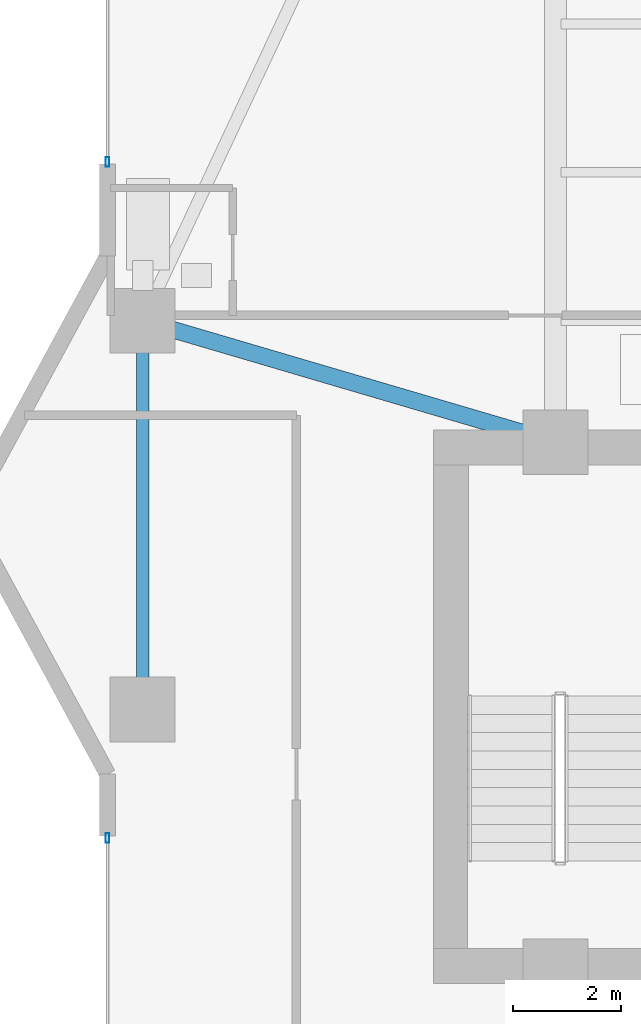
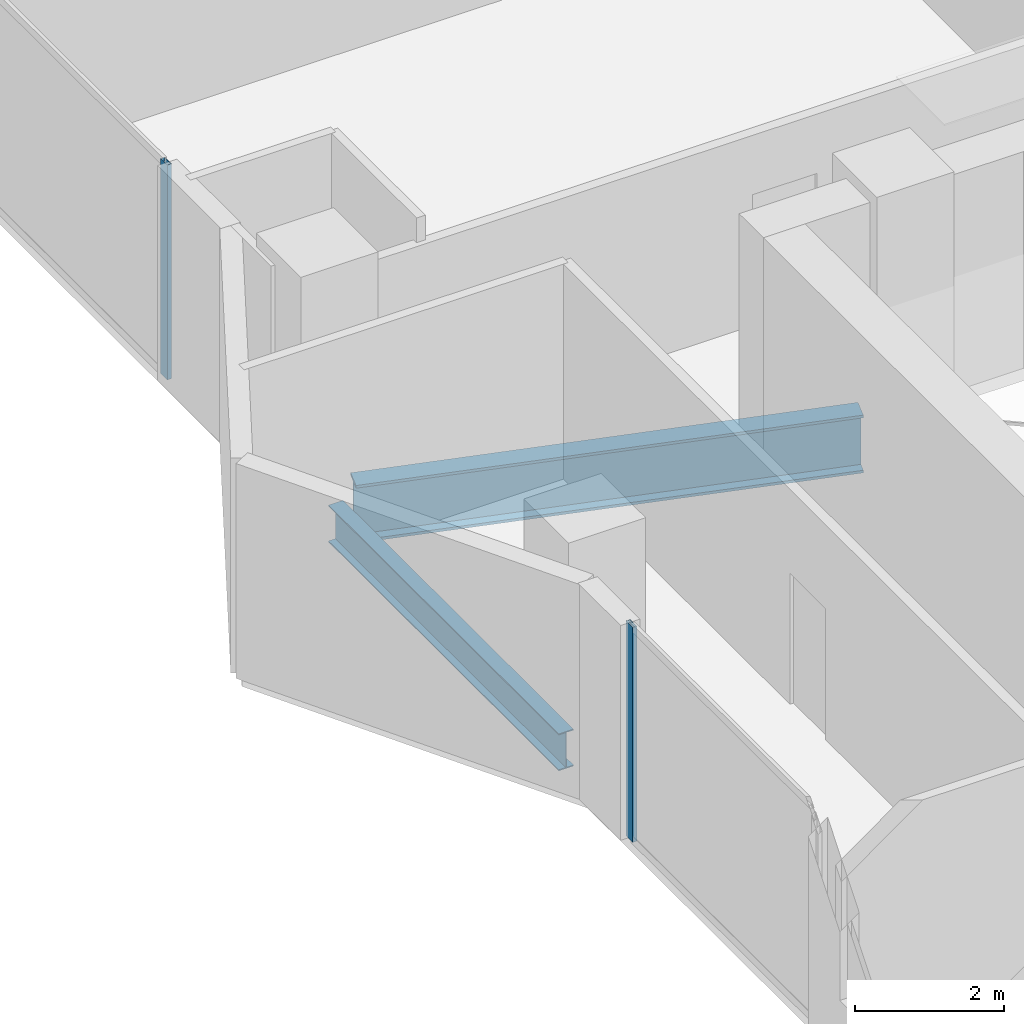
# One storey, part 8 of 33: 2 beams, 2 members, 2 elements without a shape of their own.
"""IFC4 building model written with IfcOpenShell, lengths in metres."""

import ifcopenshell
import ifcopenshell.guid

model = None  # the IFC model being written
_history = None  # IfcOwnerHistory: only IFC2X3 demands one
_inside = {}  # id of a spatial element -> (the spatial element, [elements in it])
_under = {}  # id of a project, library or spatial element -> (it, [spatial elements below it])
_declared = {}  # id of a project -> (the project, [libraries it declares])
_typed = {}  # id of a type object -> (the type object, [elements of that type])
_made_of = {}  # id of a material, layer set ... -> (it, [elements and type objects made of it])


def new_model(schema):
    """Start an empty IFC model of exactly this schema.

    Asked for "IFC4X3", IfcOpenShell would pick the latest addendum, in which some entities
    have other attributes; the version numbers below select the first issue.
    IFC2X3 requires an IfcOwnerHistory on every rooted entity: one is made here for all.
    """
    global model, _history
    if schema == "IFC4X3":
        model = ifcopenshell.file(schema_version=(4, 3, 0, 0))
    else:
        model = ifcopenshell.file(schema=schema)
    _inside.clear()
    _under.clear()
    _declared.clear()
    _typed.clear()
    _made_of.clear()
    _history = None
    if model.schema == "IFC2X3":
        org = make("IfcOrganization", Name="unknown")
        user = make(
            "IfcPersonAndOrganization",
            ThePerson=make("IfcPerson", FamilyName="unknown"),
            TheOrganization=org,
        )
        app = make(
            "IfcApplication",
            ApplicationDeveloper=org,
            Version="unknown",
            ApplicationFullName="unknown",
            ApplicationIdentifier="unknown",
        )
        _history = make(
            "IfcOwnerHistory",
            OwningUser=user,
            OwningApplication=app,
            ChangeAction="ADDED",
            CreationDate=0,
        )
    return model


def make(cls, **values):
    """One entity of the class cls with the attributes given. An attribute that is None is left unset."""
    return model.create_entity(
        cls, **{name: value for name, value in values.items() if value is not None}
    )


def rooted(cls, **values):
    """An entity with a GlobalId (a new one), such as an element, a storey or a relation."""
    return make(cls, GlobalId=ifcopenshell.guid.new(), OwnerHistory=_history, **values)


def si_unit(unit_type, name, prefix=None):
    """IfcSIUnit, for example si_unit("LENGTHUNIT", "METRE", prefix="MILLI")."""
    return make("IfcSIUnit", UnitType=unit_type, Prefix=prefix, Name=name)


def assignment(units):
    """IfcUnitAssignment: the units of a project."""
    return None if units is None else make("IfcUnitAssignment", Units=units)


def point(xyz):
    """IfcCartesianPoint."""
    return None if xyz is None else make("IfcCartesianPoint", Coordinates=xyz)


def direction(xyz):
    """IfcDirection."""
    return None if xyz is None else make("IfcDirection", DirectionRatios=xyz)


def frame(location, z_axis=None, x_axis=None):
    """IfcAxis2Placement3D, a coordinate frame: its origin and axes. An axis left out is left unset."""
    return make(
        "IfcAxis2Placement3D",
        Location=point(location),
        Axis=direction(z_axis),
        RefDirection=direction(x_axis),
    )


def frame_2d(location, x_axis=None):
    """IfcAxis2Placement2D, a coordinate frame in the plane: its origin and x axis."""
    return make(
        "IfcAxis2Placement2D", Location=point(location), RefDirection=direction(x_axis)
    )


def origin():
    """The frame at (0, 0, 0) with its axes left unset."""
    return frame((0.0, 0.0, 0.0))


def origin_2d():
    """The frame at (0, 0) in the plane with its x axis left unset."""
    return frame_2d((0.0, 0.0))


def place(relative_to, where):
    """IfcLocalPlacement: puts the frame where relative to a parent placement (None: the world)."""
    return make(
        "IfcLocalPlacement", PlacementRelTo=relative_to, RelativePlacement=where
    )


def context(
    kind, dimensions, precision=None, world=None, true_north=None, identifier=None
):
    """IfcGeometricRepresentationContext, for example the 3D "Model" context."""
    return make(
        "IfcGeometricRepresentationContext",
        ContextIdentifier=identifier,
        ContextType=kind,
        CoordinateSpaceDimension=dimensions,
        Precision=precision,
        WorldCoordinateSystem=world,
        TrueNorth=true_north,
    )


def subcontext(parent, identifier, kind, view, scale=None):
    """IfcGeometricRepresentationSubContext, for example "Body" below "Model"."""
    return make(
        "IfcGeometricRepresentationSubContext",
        ContextIdentifier=identifier,
        ContextType=kind,
        ParentContext=parent,
        TargetScale=scale,
        TargetView=view,
    )


def project(units=None, contexts=None):
    """IfcProject with its units and contexts."""
    return rooted(
        "IfcProject",
        Name="project",
        RepresentationContexts=contexts,
        UnitsInContext=assignment(units),
    )


def spatial(cls, under=None, at=None, **own):
    """A site, building, storey or space (cls), placed at a placement, below another one or the project."""
    s = rooted(cls, ObjectPlacement=at, **own)
    if under is not None:
        _under.setdefault(under.id(), (under, []))[1].append(s)
    return s


def profile(cls, at=None, kind="AREA", **sizes):
    """A parametric profile (cls). Its sizes go by their IFC names, for example OverallWidth=200.0."""
    return make(cls, ProfileType=kind, Position=at, **sizes)


def hollow_rectangle(**sizes):
    """IfcRectangleHollowProfileDef."""
    return profile("IfcRectangleHollowProfileDef", **sizes)


def i_section(**sizes):
    """IfcIShapeProfileDef."""
    return profile("IfcIShapeProfileDef", **sizes)


def extrude(swept, where, along, depth):
    """IfcExtrudedAreaSolid: the profile swept, set in the frame where, extruded along a direction by depth."""
    return make(
        "IfcExtrudedAreaSolid",
        SweptArea=swept,
        Position=where,
        ExtrudedDirection=direction(along),
        Depth=depth,
    )


def shape(context_of_items, identifier, shape_type, items):
    """IfcShapeRepresentation: the items that make up one representation, for example the "Body"."""
    return make(
        "IfcShapeRepresentation",
        ContextOfItems=context_of_items,
        RepresentationIdentifier=identifier,
        RepresentationType=shape_type,
        Items=items,
    )


def material(Name=None, Category=None):
    """IfcMaterial."""
    return make("IfcMaterial", Name=Name, Category=Category)


def layer(
    of_material, thickness, ventilated=None, Name=None, Category=None, Priority=None
):
    """IfcMaterialLayer: one layer of a wall or slab, of a material (None: an air gap)."""
    return make(
        "IfcMaterialLayer",
        Material=of_material,
        LayerThickness=thickness,
        IsVentilated=ventilated,
        Name=Name,
        Category=Category,
        Priority=Priority,
    )


def layer_set(layers, Name=None):
    """IfcMaterialLayerSet."""
    return make("IfcMaterialLayerSet", MaterialLayers=layers, LayerSetName=Name)


def material_profile(
    of_material, cross_section, Name=None, Category=None, Priority=None
):
    """IfcMaterialProfile: a cross section and its material."""
    return make(
        "IfcMaterialProfile",
        Name=Name,
        Material=of_material,
        Profile=cross_section,
        Priority=Priority,
        Category=Category,
    )


def profile_set(profiles, Name=None, composite=None):
    """IfcMaterialProfileSet."""
    return make(
        "IfcMaterialProfileSet",
        Name=Name,
        MaterialProfiles=profiles,
        CompositeProfile=composite,
    )


def made_of(thing, what):
    """Note that an element or type object is made of a material, layer set ...; save() writes the relation."""
    if what is not None:
        _made_of.setdefault(what.id(), (what, []))[1].append(thing)
    return thing


def type_object(cls, material=None, **own):
    """A type object (cls), such as IfcWallType, which elements share."""
    return made_of(rooted(cls, **own), material)


def element(
    cls,
    number,
    at=None,
    inside=None,
    cuts=None,
    type_object=None,
    material=None,
    context=None,
    identifier="Body",
    shape_type=None,
    held_by="IfcProductDefinitionShape",
    body=None,
    shapes=None,
    **own,
):
    """One element of the class cls, such as IfcWall. Its Tag is "e" and its number.

    at: its placement. inside: the storey or other place that contains it. cuts: it is an
    opening in that element (IfcRelVoidsElement). A single representation is given by context,
    identifier, shape_type and body (its items); several are given by shapes. held_by: the class
    of the entity that holds the representations. save() writes the other relations.
    """
    e = rooted(cls, Tag="e%d" % number, ObjectPlacement=at, **own)
    if body is not None:
        shapes = [shape(context, identifier, shape_type, body)]
    if shapes is not None:
        e.Representation = make(held_by, Representations=shapes)
    if inside is not None:
        _inside.setdefault(inside.id(), (inside, []))[1].append(e)
    if cuts is not None:
        rooted(
            "IfcRelVoidsElement", RelatingBuildingElement=cuts, RelatedOpeningElement=e
        )
    if type_object is not None:
        _typed.setdefault(type_object.id(), (type_object, []))[1].append(e)
    return made_of(e, material)


def aggregate(whole, parts):
    """IfcRelAggregates: a whole, such as a stair, and the parts it consists of."""
    return rooted("IfcRelAggregates", RelatingObject=whole, RelatedObjects=parts)


def save(model, path):
    """Write the relations noted so far, then the file.

    IfcRelAggregates (storeys below a building ...), IfcRelContainedInSpatialStructure (elements
    in a storey), IfcRelDefinesByType, IfcRelAssociatesMaterial and IfcRelDeclares: one each for
    every whole, place, type object, material and project.
    """
    for whole, parts in _under.values():
        aggregate(whole, parts)
    for where, things in _inside.values():
        rooted(
            "IfcRelContainedInSpatialStructure",
            RelatedElements=things,
            RelatingStructure=where,
        )
    for kind, things in _typed.values():
        rooted("IfcRelDefinesByType", RelatedObjects=things, RelatingType=kind)
    for what, things in _made_of.values():
        rooted("IfcRelAssociatesMaterial", RelatedObjects=things, RelatingMaterial=what)
    for by, libraries in _declared.values():
        rooted("IfcRelDeclares", RelatingContext=by, RelatedDefinitions=libraries)
    model.write(path)


model = new_model("IFC4")

# Units and contexts
model_context = context("Model", 3, precision=1e-05, world=origin(), true_north=direction((0.0, 1.0)))
body_context = subcontext(model_context, "Body", "Model", "MODEL_VIEW")
ifc_project = project(units=[si_unit("LENGTHUNIT", "METRE"), si_unit("AREAUNIT", "SQUARE_METRE"), si_unit("VOLUMEUNIT", "CUBIC_METRE"), si_unit("PLANEANGLEUNIT", "RADIAN"), si_unit("MASSUNIT", "GRAM", prefix="KILO")], contexts=[model_context])

# Site, building, storey
site_placement = place(None, origin())
site = spatial("IfcSite", under=ifc_project, at=site_placement, CompositionType="ELEMENT")
building_placement = place(site_placement, origin())
building = spatial("IfcBuilding", under=site, at=building_placement, Name="Zuhayl Quay Hotel", CompositionType="ELEMENT")
storey_placement = place(building_placement, frame((0.0, 0.0, 211.14990234375)))
storey = spatial("IfcBuildingStorey", under=building, at=storey_placement, Name="L53", CompositionType="ELEMENT", Elevation=211.14990234375)

# Beams
ifc_material_1 = material(Name="Steel ASTM A992 Grade 50", Category="steel")
ifc_material_profile_1 = material_profile(ifc_material_1, i_section(OverallWidth=0.22802734375, OverallDepth=0.60693359375, WebThickness=0.01123046875, FlangeThickness=0.017333984375, at=origin_2d()), Name="W24X76")
ifc_profile_set_1 = profile_set([ifc_material_profile_1], Name="Steel ASTM A992 Grade 50")
beam_type_1 = type_object("IfcBeamType", Name="BM_B3_W24X76", PredefinedType="BEAM", material=ifc_profile_set_1)
beam_1_placement = place(storey_placement, frame((-21.449951171875, 16.10009765625, -0.5234375), z_axis=(0.0, -1.0, 0.0), x_axis=(1.0, 0.0, 0.0)))
element("IfcBeam", 1, at=beam_1_placement, inside=storey, type_object=beam_type_1, Name="L53 Floor Beam RG_L53_11", PredefinedType="BEAM", context=body_context, shape_type="SweptSolid", body=[
    extrude(i_section(OverallWidth=0.22802734375, OverallDepth=0.60693359375, WebThickness=0.01123046875, FlangeThickness=0.017333984375, at=origin_2d()), origin(), (0.0, 0.0, 1.0), 6.2001953125),
])
ifc_material_profile_2 = material_profile(ifc_material_1, i_section(OverallWidth=0.31005859375, OverallDepth=0.949951171875, WebThickness=0.0244140625, FlangeThickness=0.0439453125, at=origin_2d()), Name="W36X256")
ifc_profile_set_2 = profile_set([ifc_material_profile_2], Name="Steel ASTM A992 Grade 50")
beam_type_2 = type_object("IfcBeamType", Name="BM_PG1_W36X256", PredefinedType="BEAM", material=ifc_profile_set_2)
beam_2_placement = place(storey_placement, frame((-20.97021484375, 16.458984375, -0.69482421875), z_axis=(0.959364948093, -0.282168205812, 0.0), x_axis=(0.282168205812, 0.959364948093, 0.0)))
element("IfcBeam", 2, at=beam_2_placement, inside=storey, type_object=beam_type_2, Name="L53 Floor Beam FG_W_L53_2", PredefinedType="BEAM", context=body_context, shape_type="SweptSolid", body=[
    extrude(i_section(OverallWidth=0.31005859375, OverallDepth=0.949951171875, WebThickness=0.0244140625, FlangeThickness=0.0439453125, at=origin_2d()), origin(), (0.0, 0.0, 1.0), 7.02392578125),
])

# Curtain wall, member
ifc_material_2 = material(Name="Anodised Aluminium 6063-T6", Category="aluminium")
ifc_layer = layer(ifc_material_2, 0.175048828125, Name="Anodised Aluminium 6063-T6", Category="aluminium")
ifc_layer_set = layer_set([ifc_layer], Name="Anodised Aluminium 6063-T6")
curtain_wall_type = type_object("IfcCurtainWallType", Name="CW_SYS_Z3", PredefinedType="USERDEFINED", material=ifc_layer_set)
curtain_wall_1_placement = place(storey_placement, origin())
curtain_wall_1 = element("IfcCurtainWall", 3, at=curtain_wall_1_placement, inside=storey, type_object=curtain_wall_type, Name="L53 Curtain Wall ENV_L53_E02_CW2", ObjectType="UNITISED CURTAIN WALL", PredefinedType="USERDEFINED")
ifc_material_3 = material(Name="Black-anodised aluminium 6063-T6", Category="aluminium")
ifc_material_profile_3 = material_profile(ifc_material_3, hollow_rectangle(XDim=0.06494140625, YDim=0.179931640625, WallThickness=0.00341796875, at=origin_2d()), Name="ALU180X65")
ifc_profile_set_3 = profile_set([ifc_material_profile_3], Name="Black-anodised aluminium 6063-T6")
member_type = type_object("IfcMemberType", Name="MB_CW_MUL_180", PredefinedType="MULLION", material=ifc_profile_set_3)
member_1_placement = place(storey_placement, frame((-22.10009765625, 7.017578125, 0.0), z_axis=(0.0, 0.0, 1.0), x_axis=(-1.0, 0.0, 0.0)))
member_1 = element("IfcMember", 4, at=member_1_placement, type_object=member_type, Name="CW-Z3 mullion 2", PredefinedType="MULLION", context=body_context, shape_type="SweptSolid", body=[
    extrude(hollow_rectangle(XDim=0.06494140625, YDim=0.179931640625, WallThickness=0.00341796875, at=origin_2d()), origin(), (0.0, 0.0, 1.0), 3.530029296875),
])
aggregate(curtain_wall_1, [member_1])

curtain_wall_2_placement = place(storey_placement, origin())
curtain_wall_2 = element("IfcCurtainWall", 5, at=curtain_wall_2_placement, inside=storey, type_object=curtain_wall_type, Name="L53 Curtain Wall ENV_L53_E05_CW1", ObjectType="UNITISED CURTAIN WALL", PredefinedType="USERDEFINED")
member_2_placement = place(storey_placement, frame((-22.10009765625, 19.54248046875, 0.0), z_axis=(0.0, 0.0, 1.0), x_axis=(-1.0, 0.0, 0.0)))
member_2 = element("IfcMember", 6, at=member_2_placement, type_object=member_type, Name="CW-Z3 mullion 1", PredefinedType="MULLION", context=body_context, shape_type="SweptSolid", body=[
    extrude(hollow_rectangle(XDim=0.06494140625, YDim=0.179931640625, WallThickness=0.00341796875, at=origin_2d()), origin(), (0.0, 0.0, 1.0), 3.530029296875),
])
aggregate(curtain_wall_2, [member_2])

save(model, "model.ifc")
